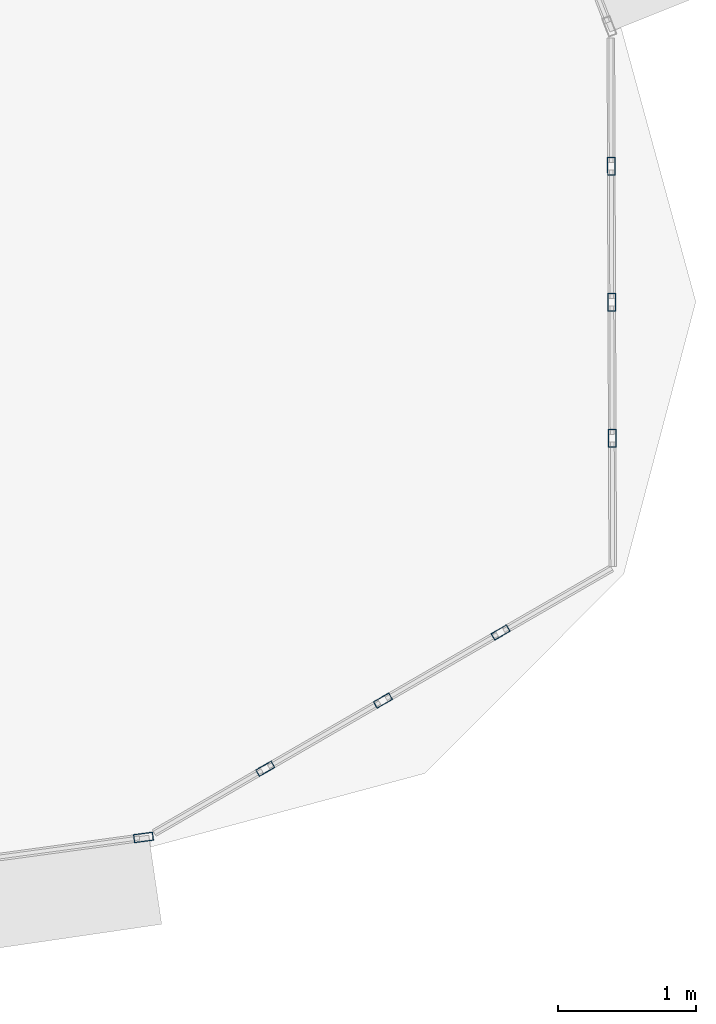
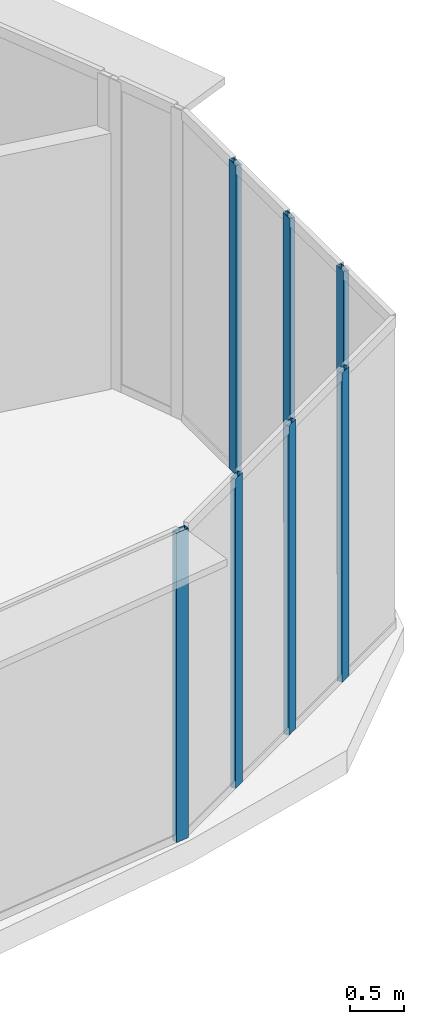
# One storey, part 14 of 39: 7 members, 3 elements without a shape of their own.
"""IFC4 building model written with IfcOpenShell, lengths in metres."""

from ifc_helpers import new_model, si_unit, direction, frame, origin, origin_2d, place, context, subcontext, project, spatial, hollow_rectangle, extrude, source, transform, mapped, material, layer, layer_set, material_profile, profile_set, type_object, element, aggregate, save


model = new_model("IFC4")

# Units and contexts
model_context = context("Model", 3, precision=1e-05, world=origin(), true_north=direction((0.0, 1.0)))
body_context = subcontext(model_context, "Body", "Model", "MODEL_VIEW")
ifc_project = project(units=[si_unit("LENGTHUNIT", "METRE"), si_unit("AREAUNIT", "SQUARE_METRE"), si_unit("VOLUMEUNIT", "CUBIC_METRE"), si_unit("PLANEANGLEUNIT", "RADIAN"), si_unit("MASSUNIT", "GRAM", prefix="KILO"), si_unit("THERMODYNAMICTEMPERATUREUNIT", "KELVIN"), si_unit("POWERUNIT", "WATT")], contexts=[model_context])

# Site, building, storey
site_placement = place(None, origin())
site = spatial("IfcSite", under=ifc_project, at=site_placement, CompositionType="ELEMENT")
building_placement = place(site_placement, origin())
building = spatial("IfcBuilding", under=site, at=building_placement, Name="Yunzhuo Pagoda Commons", CompositionType="ELEMENT")
storey_placement = place(building_placement, frame((0.0, 0.0, 296.2099609375)))
storey = spatial("IfcBuildingStorey", under=building, at=storey_placement, Name="L74", CompositionType="ELEMENT", Elevation=296.2099609375)

# Curtain wall, member
ifc_material = material(Name="Anodized aluminium 6063-T6", Category="aluminium")
ifc_layer_1 = layer(ifc_material, 0.139892578125)
ifc_layer_set_1 = layer_set([ifc_layer_1], Name="Anodized aluminium 6063-T6")
curtain_wall_type_1 = type_object("IfcCurtainWallType", Name="CW-HI High-Zone Ribbon Curtain Wall", PredefinedType="NOTDEFINED", material=ifc_layer_set_1)
curtain_wall_1_placement = place(storey_placement, origin())
curtain_wall_1 = element("IfcCurtainWall", 1, at=curtain_wall_1_placement, inside=storey, type_object=curtain_wall_type_1, Name="L74 curtain wall CW-L74-F1B5", PredefinedType="NOTDEFINED")
ifc_material_profile_1 = material_profile(ifc_material, hollow_rectangle(XDim=0.06005859375, YDim=0.139892578125, WallThickness=0.00341796875, at=origin_2d()), Name="Anodized aluminium 6063-T6")
ifc_profile_set_1 = profile_set([ifc_material_profile_1], Name="Anodized aluminium 6063-T6")
member_type_1 = type_object("IfcMemberType", Name="CW-HI-M Mullion RHS 140x60x3.5", PredefinedType="MULLION", material=ifc_profile_set_1)
shared_shape_1 = source(origin(), body_context, "Body", "SweptSolid", [
    extrude(hollow_rectangle(XDim=0.06005859375, YDim=0.139892578125, WallThickness=0.00341796875, at=origin_2d()), origin(), (0.0, 0.0, 1.0), 3.469970703125),
])
member_1_placement = place(storey_placement, frame((76.270263671875, 21.540283203125, 0.0), z_axis=(0.0, 0.0, 1.0), x_axis=(-0.134853980826, 0.99086548222, 0.0)))
member_1 = element("IfcMember", 2, at=member_1_placement, type_object=member_type_1, Name="CW mullion 2", PredefinedType="MULLION", context=body_context, shape_type="MappedRepresentation", body=[
    mapped(shared_shape_1, transform((0.0, 0.0, 0.0), scale=1.0)),
])
aggregate(curtain_wall_1, [member_1])

# Curtain wall, members
ifc_layer_2 = layer(ifc_material, 0.1298828125)
ifc_layer_set_2 = layer_set([ifc_layer_2], Name="Anodized aluminium 6063-T6")
curtain_wall_type_2 = type_object("IfcCurtainWallType", Name="CW-VTX Rounded Corner Curtain Wall", PredefinedType="NOTDEFINED", material=ifc_layer_set_2)
curtain_wall_2_placement = place(storey_placement, origin())
curtain_wall_2 = element("IfcCurtainWall", 3, at=curtain_wall_2_placement, inside=storey, type_object=curtain_wall_type_2, Name="L74 curtain wall CW-L74-VTX2S1", PredefinedType="NOTDEFINED")
ifc_material_profile_2 = material_profile(ifc_material, hollow_rectangle(XDim=0.054931640625, YDim=0.1298828125, WallThickness=0.00341796875, at=origin_2d()), Name="Anodized aluminium 6063-T6")
ifc_profile_set_2 = profile_set([ifc_material_profile_2], Name="Anodized aluminium 6063-T6")
member_type_2 = type_object("IfcMemberType", Name="CW-VTX-M Mullion RHS 130x55x3.5", PredefinedType="MULLION", material=ifc_profile_set_2)
shared_shape_2 = source(origin(), body_context, "Body", "SweptSolid", [
    extrude(hollow_rectangle(XDim=0.054931640625, YDim=0.1298828125, WallThickness=0.00341796875, at=origin_2d()), origin(), (0.0, 0.0, 1.0), 3.469970703125),
])
member_2_placement = place(storey_placement, frame((77.149658203125, 22.036376953125, 0.0), z_axis=(0.0, 0.0, 1.0), x_axis=(-0.501017201245, 0.86543732532, 0.0)))
member_2 = element("IfcMember", 4, at=member_2_placement, type_object=member_type_2, Name="CW mullion 2", PredefinedType="MULLION", context=body_context, shape_type="MappedRepresentation", body=[
    mapped(shared_shape_2, transform((0.0, 0.0, 0.0), scale=1.0)),
])
member_3_placement = place(storey_placement, frame((77.99951171875, 22.5283203125, 0.0), z_axis=(0.0, 0.0, 1.0), x_axis=(-0.501017201245, 0.86543732532, 0.0)))
member_3 = element("IfcMember", 5, at=member_3_placement, type_object=member_type_2, Name="CW mullion 3", PredefinedType="MULLION", context=body_context, shape_type="MappedRepresentation", body=[
    mapped(shared_shape_2, transform((0.0, 0.0, 0.0), scale=1.0)),
])
member_4_placement = place(storey_placement, frame((78.849365234375, 23.020263671875, 0.0), z_axis=(0.0, 0.0, 1.0), x_axis=(-0.501017201245, 0.86543732532, 0.0)))
member_4 = element("IfcMember", 6, at=member_4_placement, type_object=member_type_2, Name="CW mullion 4", PredefinedType="MULLION", context=body_context, shape_type="MappedRepresentation", body=[
    mapped(shared_shape_2, transform((0.0, 0.0, 0.0), scale=1.0)),
])
aggregate(curtain_wall_2, [member_2, member_3, member_4])

curtain_wall_3_placement = place(storey_placement, origin())
curtain_wall_3 = element("IfcCurtainWall", 7, at=curtain_wall_3_placement, inside=storey, type_object=curtain_wall_type_2, Name="L74 curtain wall CW-L74-VTX2S2", PredefinedType="NOTDEFINED")
member_5_placement = place(storey_placement, frame((79.65576171875, 24.4248046875, 0.0), z_axis=(0.0, 0.0, 1.0), x_axis=(-0.999993556089, -0.003589955472, 0.0)))
member_5 = element("IfcMember", 8, at=member_5_placement, type_object=member_type_2, Name="CW mullion 2", PredefinedType="MULLION", context=body_context, shape_type="MappedRepresentation", body=[
    mapped(shared_shape_2, transform((0.0, 0.0, 0.0), scale=1.0)),
])
member_6_placement = place(storey_placement, frame((79.652099609375, 25.406494140625, 0.0), z_axis=(0.0, 0.0, 1.0), x_axis=(-0.999993556089, -0.003589955472, 0.0)))
member_6 = element("IfcMember", 9, at=member_6_placement, type_object=member_type_2, Name="CW mullion 3", PredefinedType="MULLION", context=body_context, shape_type="MappedRepresentation", body=[
    mapped(shared_shape_2, transform((0.0, 0.0, 0.0), scale=1.0)),
])
member_7_placement = place(storey_placement, frame((79.648681640625, 26.388427734375, 0.0), z_axis=(0.0, 0.0, 1.0), x_axis=(-0.999993556089, -0.003589955472, 0.0)))
member_7 = element("IfcMember", 10, at=member_7_placement, type_object=member_type_2, Name="CW mullion 4", PredefinedType="MULLION", context=body_context, shape_type="MappedRepresentation", body=[
    mapped(shared_shape_2, transform((0.0, 0.0, 0.0), scale=1.0)),
])
aggregate(curtain_wall_3, [member_5, member_6, member_7])

save(model, "model.ifc")
